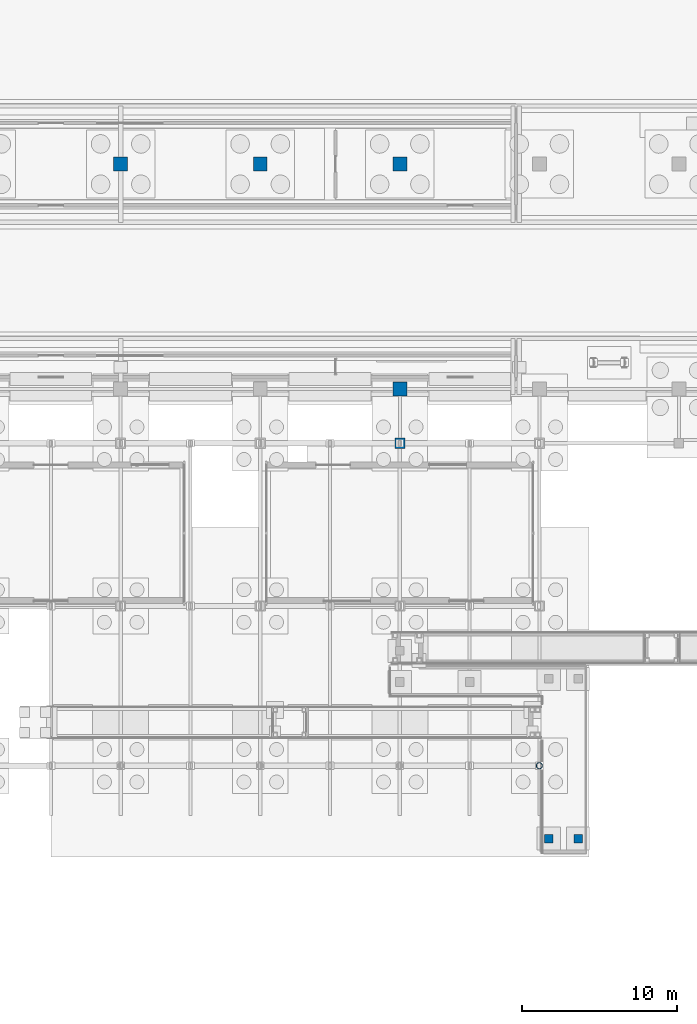
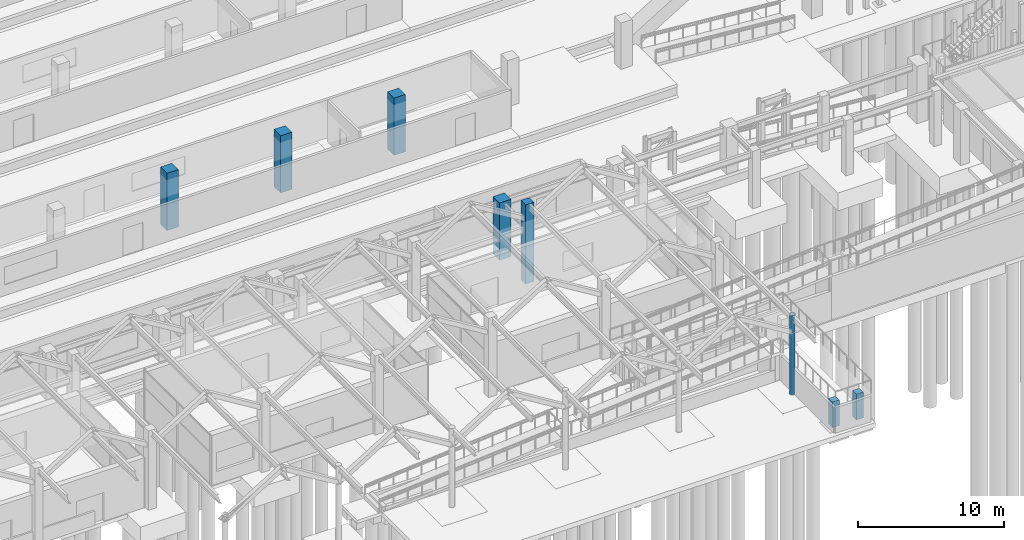
# One storey, part 13 of 160: 8 columns.
"""IFC4 building model written with IfcOpenShell, lengths in metres."""

from ifc_helpers import new_model, si_unit, direction, frame, origin, origin_2d, place, context, subcontext, project, spatial, rectangle, hollow_circle, extrude, material, material_profile, profile_set, type_object, element, save


model = new_model("IFC4")

# Units and contexts
model_context = context("Model", 3, precision=1e-05, world=origin(), true_north=direction((0.0, 1.0)))
body_context = subcontext(model_context, "Body", "Model", "MODEL_VIEW")
ifc_project = project(units=[si_unit("LENGTHUNIT", "METRE"), si_unit("AREAUNIT", "SQUARE_METRE"), si_unit("VOLUMEUNIT", "CUBIC_METRE"), si_unit("PLANEANGLEUNIT", "RADIAN"), si_unit("MASSUNIT", "GRAM", prefix="KILO")], contexts=[model_context])

# Site, building, storey
site_placement = place(None, origin())
site = spatial("IfcSite", under=ifc_project, at=site_placement, CompositionType="ELEMENT")
building_placement = place(site_placement, origin())
building = spatial("IfcBuilding", under=site, at=building_placement, Name="Marlcrest Central Station", CompositionType="ELEMENT")
storey_placement = place(building_placement, origin())
storey = spatial("IfcBuildingStorey", under=building, at=storey_placement, Name="L00", CompositionType="ELEMENT", Elevation=0.0)

# Columns
ifc_material_1 = material(Name="Concrete C40/50", Category="concrete")
ifc_material_profile_1 = material_profile(ifc_material_1, rectangle(XDim=0.550048828125, YDim=0.550048828125, at=origin_2d()), Name="RC 550x550")
ifc_profile_set_1 = profile_set([ifc_material_profile_1], Name="Concrete C40/50")
column_type_1 = type_object("IfcColumnType", Name="RC-03", PredefinedType="COLUMN", material=ifc_profile_set_1)
for number, where, z_axis, x_axis, name in (
    (1, (63.60009765625, 7.5, 0.0), (0.0, 0.0, 1.0), (1.0, 0.0, 0.0), "col-RC-03-L00-0396"),
    (2, (65.5, 7.5, 0.0), (0.0, 0.0, 1.0), (1.0, 0.0, 0.0), "col-RC-03-L00-0397"),
):
    element("IfcColumn", number, at=place(storey_placement, frame(where, z_axis=z_axis, x_axis=x_axis)), inside=storey, type_object=column_type_1, Name=name, PredefinedType="COLUMN", context=body_context, shape_type="SweptSolid", body=[
        extrude(rectangle(XDim=0.550048828125, YDim=0.550048828125, at=origin_2d()), origin(), (0.0, 0.0, 1.0), 2.14990234375),
    ])
ifc_material_2 = material(Name="Concrete C50/60", Category="concrete")
ifc_material_profile_2 = material_profile(ifc_material_2, rectangle(XDim=0.64990234375, YDim=0.64990234375, at=origin_2d()), Name="RC 650x650")
ifc_profile_set_2 = profile_set([ifc_material_profile_2], Name="Concrete C50/60")
column_type_2 = type_object("IfcColumnType", Name="RC-05", PredefinedType="COLUMN", material=ifc_profile_set_2)
column_1_placement = place(storey_placement, frame((54.0, 33.0, 0.0), z_axis=(0.0, 0.0, 1.0), x_axis=(1.0, 0.0, 0.0)))
element("IfcColumn", 3, at=column_1_placement, inside=storey, type_object=column_type_2, Name="col-RC-05-L00-0381", PredefinedType="COLUMN", context=body_context, shape_type="SweptSolid", body=[
    extrude(rectangle(XDim=0.64990234375, YDim=0.64990234375, at=origin_2d()), origin(), (0.0, 0.0, 1.0), 6.639892578125),
])
ifc_material_profile_3 = material_profile(ifc_material_2, rectangle(XDim=0.89990234375, YDim=0.89990234375, at=origin_2d()), Name="RC 900x900")
ifc_profile_set_3 = profile_set([ifc_material_profile_3], Name="Concrete C50/60")
column_type_3 = type_object("IfcColumnType", Name="RC-08", PredefinedType="COLUMN", material=ifc_profile_set_3)
for number, where, z_axis, x_axis, name in (
    (4, (36.0, 51.0, 0.0), (0.0, 0.0, 1.0), (1.0, 0.0, 0.0), "col-RC-08-L00-0454"),
    (5, (45.0, 51.0, 0.0), (0.0, 0.0, 1.0), (1.0, 0.0, 0.0), "col-RC-08-L00-0464"),
    (6, (54.0, 36.5, 0.0), (0.0, 0.0, 1.0), (1.0, 0.0, 0.0), "col-RC-08-L00-0472"),
    (7, (54.0, 51.0, 0.0), (0.0, 0.0, 1.0), (1.0, 0.0, 0.0), "col-RC-08-L00-0474"),
):
    element("IfcColumn", number, at=place(storey_placement, frame(where, z_axis=z_axis, x_axis=x_axis)), inside=storey, type_object=column_type_3, Name=name, PredefinedType="COLUMN", context=body_context, shape_type="SweptSolid", body=[
        extrude(rectangle(XDim=0.89990234375, YDim=0.89990234375, at=origin_2d()), origin(), (0.0, 0.0, 1.0), 4.800048828125),
    ])
ifc_material_3 = material(Name="Steel S355", Category="steel")
ifc_material_profile_4 = material_profile(ifc_material_3, hollow_circle(Radius=0.203125, WallThickness=0.02001953125, at=origin_2d()), Name="CHS 406.4x20")
ifc_profile_set_4 = profile_set([ifc_material_profile_4], Name="Steel S355")
column_type_4 = type_object("IfcColumnType", Name="SC-10", PredefinedType="COLUMN", material=ifc_profile_set_4)
column_2_placement = place(storey_placement, frame((63.0, 12.199951171875, 0.0), z_axis=(0.0, 0.0, 1.0), x_axis=(1.0, 0.0, 0.0)))
element("IfcColumn", 8, at=column_2_placement, inside=storey, type_object=column_type_4, Name="col-SC-10-L00-0385", PredefinedType="COLUMN", context=body_context, shape_type="SweptSolid", body=[
    extrude(hollow_circle(Radius=0.203125, WallThickness=0.02001953125, at=origin_2d()), origin(), (0.0, 0.0, 1.0), 6.639892578125),
])

save(model, "model.ifc")
